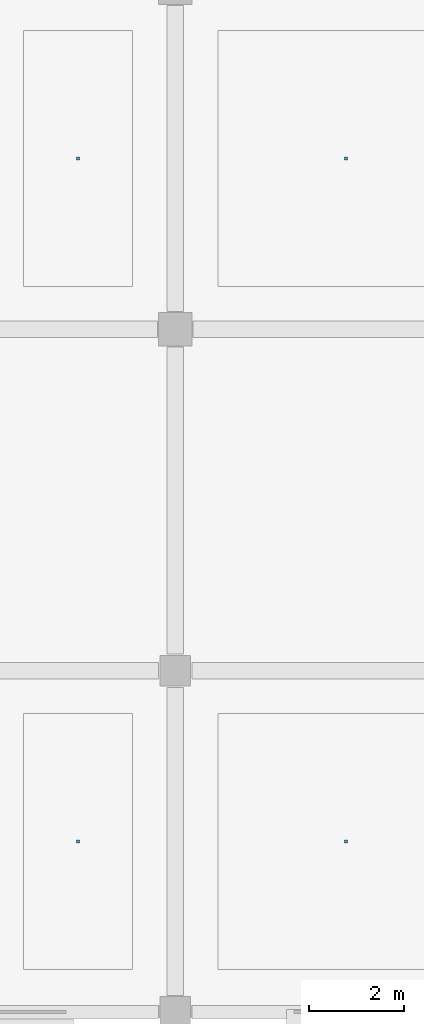
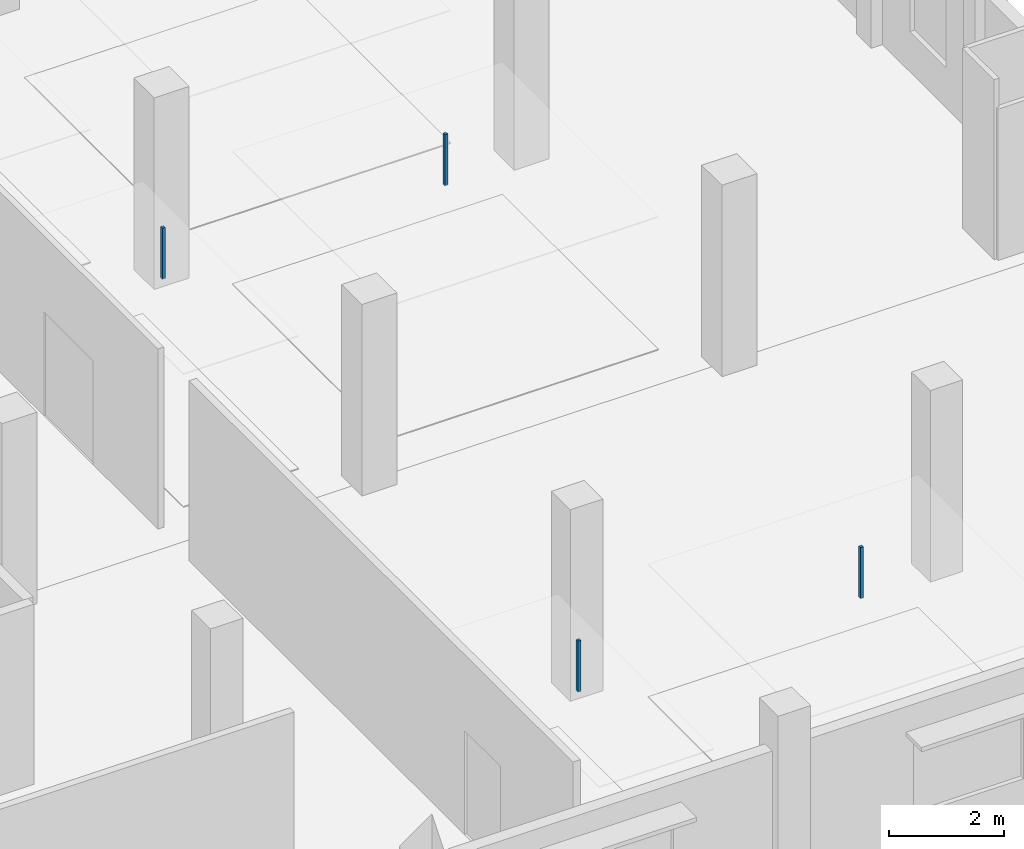
# One storey, part 81 of 91: 4 discrete accessories.
"""IFC4 building model written with IfcOpenShell, lengths in metres."""

import ifcopenshell
import ifcopenshell.guid

model = None  # the IFC model being written
_history = None  # IfcOwnerHistory: only IFC2X3 demands one
_inside = {}  # id of a spatial element -> (the spatial element, [elements in it])
_under = {}  # id of a project, library or spatial element -> (it, [spatial elements below it])
_declared = {}  # id of a project -> (the project, [libraries it declares])
_typed = {}  # id of a type object -> (the type object, [elements of that type])
_made_of = {}  # id of a material, layer set ... -> (it, [elements and type objects made of it])


def new_model(schema):
    """Start an empty IFC model of exactly this schema.

    Asked for "IFC4X3", IfcOpenShell would pick the latest addendum, in which some entities
    have other attributes; the version numbers below select the first issue.
    IFC2X3 requires an IfcOwnerHistory on every rooted entity: one is made here for all.
    """
    global model, _history
    if schema == "IFC4X3":
        model = ifcopenshell.file(schema_version=(4, 3, 0, 0))
    else:
        model = ifcopenshell.file(schema=schema)
    _inside.clear()
    _under.clear()
    _declared.clear()
    _typed.clear()
    _made_of.clear()
    _history = None
    if model.schema == "IFC2X3":
        org = make("IfcOrganization", Name="unknown")
        user = make(
            "IfcPersonAndOrganization",
            ThePerson=make("IfcPerson", FamilyName="unknown"),
            TheOrganization=org,
        )
        app = make(
            "IfcApplication",
            ApplicationDeveloper=org,
            Version="unknown",
            ApplicationFullName="unknown",
            ApplicationIdentifier="unknown",
        )
        _history = make(
            "IfcOwnerHistory",
            OwningUser=user,
            OwningApplication=app,
            ChangeAction="ADDED",
            CreationDate=0,
        )
    return model


def make(cls, **values):
    """One entity of the class cls with the attributes given. An attribute that is None is left unset."""
    return model.create_entity(
        cls, **{name: value for name, value in values.items() if value is not None}
    )


def rooted(cls, **values):
    """An entity with a GlobalId (a new one), such as an element, a storey or a relation."""
    return make(cls, GlobalId=ifcopenshell.guid.new(), OwnerHistory=_history, **values)


def si_unit(unit_type, name, prefix=None):
    """IfcSIUnit, for example si_unit("LENGTHUNIT", "METRE", prefix="MILLI")."""
    return make("IfcSIUnit", UnitType=unit_type, Prefix=prefix, Name=name)


def assignment(units):
    """IfcUnitAssignment: the units of a project."""
    return None if units is None else make("IfcUnitAssignment", Units=units)


def point(xyz):
    """IfcCartesianPoint."""
    return None if xyz is None else make("IfcCartesianPoint", Coordinates=xyz)


def direction(xyz):
    """IfcDirection."""
    return None if xyz is None else make("IfcDirection", DirectionRatios=xyz)


def frame(location, z_axis=None, x_axis=None):
    """IfcAxis2Placement3D, a coordinate frame: its origin and axes. An axis left out is left unset."""
    return make(
        "IfcAxis2Placement3D",
        Location=point(location),
        Axis=direction(z_axis),
        RefDirection=direction(x_axis),
    )


def frame_2d(location, x_axis=None):
    """IfcAxis2Placement2D, a coordinate frame in the plane: its origin and x axis."""
    return make(
        "IfcAxis2Placement2D", Location=point(location), RefDirection=direction(x_axis)
    )


def origin():
    """The frame at (0, 0, 0) with its axes left unset."""
    return frame((0.0, 0.0, 0.0))


def origin_2d():
    """The frame at (0, 0) in the plane with its x axis left unset."""
    return frame_2d((0.0, 0.0))


def place(relative_to, where):
    """IfcLocalPlacement: puts the frame where relative to a parent placement (None: the world)."""
    return make(
        "IfcLocalPlacement", PlacementRelTo=relative_to, RelativePlacement=where
    )


def context(
    kind, dimensions, precision=None, world=None, true_north=None, identifier=None
):
    """IfcGeometricRepresentationContext, for example the 3D "Model" context."""
    return make(
        "IfcGeometricRepresentationContext",
        ContextIdentifier=identifier,
        ContextType=kind,
        CoordinateSpaceDimension=dimensions,
        Precision=precision,
        WorldCoordinateSystem=world,
        TrueNorth=true_north,
    )


def subcontext(parent, identifier, kind, view, scale=None):
    """IfcGeometricRepresentationSubContext, for example "Body" below "Model"."""
    return make(
        "IfcGeometricRepresentationSubContext",
        ContextIdentifier=identifier,
        ContextType=kind,
        ParentContext=parent,
        TargetScale=scale,
        TargetView=view,
    )


def project(units=None, contexts=None):
    """IfcProject with its units and contexts."""
    return rooted(
        "IfcProject",
        Name="project",
        RepresentationContexts=contexts,
        UnitsInContext=assignment(units),
    )


def spatial(cls, under=None, at=None, **own):
    """A site, building, storey or space (cls), placed at a placement, below another one or the project."""
    s = rooted(cls, ObjectPlacement=at, **own)
    if under is not None:
        _under.setdefault(under.id(), (under, []))[1].append(s)
    return s


def profile(cls, at=None, kind="AREA", **sizes):
    """A parametric profile (cls). Its sizes go by their IFC names, for example OverallWidth=200.0."""
    return make(cls, ProfileType=kind, Position=at, **sizes)


def rectangle(**sizes):
    """IfcRectangleProfileDef."""
    return profile("IfcRectangleProfileDef", **sizes)


def extrude(swept, where, along, depth):
    """IfcExtrudedAreaSolid: the profile swept, set in the frame where, extruded along a direction by depth."""
    return make(
        "IfcExtrudedAreaSolid",
        SweptArea=swept,
        Position=where,
        ExtrudedDirection=direction(along),
        Depth=depth,
    )


def shape(context_of_items, identifier, shape_type, items):
    """IfcShapeRepresentation: the items that make up one representation, for example the "Body"."""
    return make(
        "IfcShapeRepresentation",
        ContextOfItems=context_of_items,
        RepresentationIdentifier=identifier,
        RepresentationType=shape_type,
        Items=items,
    )


def material(Name=None, Category=None):
    """IfcMaterial."""
    return make("IfcMaterial", Name=Name, Category=Category)


def made_of(thing, what):
    """Note that an element or type object is made of a material, layer set ...; save() writes the relation."""
    if what is not None:
        _made_of.setdefault(what.id(), (what, []))[1].append(thing)
    return thing


def type_object(cls, material=None, **own):
    """A type object (cls), such as IfcWallType, which elements share."""
    return made_of(rooted(cls, **own), material)


def element(
    cls,
    number,
    at=None,
    inside=None,
    cuts=None,
    type_object=None,
    material=None,
    context=None,
    identifier="Body",
    shape_type=None,
    held_by="IfcProductDefinitionShape",
    body=None,
    shapes=None,
    **own,
):
    """One element of the class cls, such as IfcWall. Its Tag is "e" and its number.

    at: its placement. inside: the storey or other place that contains it. cuts: it is an
    opening in that element (IfcRelVoidsElement). A single representation is given by context,
    identifier, shape_type and body (its items); several are given by shapes. held_by: the class
    of the entity that holds the representations. save() writes the other relations.
    """
    e = rooted(cls, Tag="e%d" % number, ObjectPlacement=at, **own)
    if body is not None:
        shapes = [shape(context, identifier, shape_type, body)]
    if shapes is not None:
        e.Representation = make(held_by, Representations=shapes)
    if inside is not None:
        _inside.setdefault(inside.id(), (inside, []))[1].append(e)
    if cuts is not None:
        rooted(
            "IfcRelVoidsElement", RelatingBuildingElement=cuts, RelatedOpeningElement=e
        )
    if type_object is not None:
        _typed.setdefault(type_object.id(), (type_object, []))[1].append(e)
    return made_of(e, material)


def aggregate(whole, parts):
    """IfcRelAggregates: a whole, such as a stair, and the parts it consists of."""
    return rooted("IfcRelAggregates", RelatingObject=whole, RelatedObjects=parts)


def save(model, path):
    """Write the relations noted so far, then the file.

    IfcRelAggregates (storeys below a building ...), IfcRelContainedInSpatialStructure (elements
    in a storey), IfcRelDefinesByType, IfcRelAssociatesMaterial and IfcRelDeclares: one each for
    every whole, place, type object, material and project.
    """
    for whole, parts in _under.values():
        aggregate(whole, parts)
    for where, things in _inside.values():
        rooted(
            "IfcRelContainedInSpatialStructure",
            RelatedElements=things,
            RelatingStructure=where,
        )
    for kind, things in _typed.values():
        rooted("IfcRelDefinesByType", RelatedObjects=things, RelatingType=kind)
    for what, things in _made_of.values():
        rooted("IfcRelAssociatesMaterial", RelatedObjects=things, RelatingMaterial=what)
    for by, libraries in _declared.values():
        rooted("IfcRelDeclares", RelatingContext=by, RelatedDefinitions=libraries)
    model.write(path)


model = new_model("IFC4")

# Units and contexts
model_context = context("Model", 3, precision=1e-05, world=origin(), true_north=direction((0.0, 1.0)))
body_context = subcontext(model_context, "Body", "Model", "MODEL_VIEW")
ifc_project = project(units=[si_unit("LENGTHUNIT", "METRE"), si_unit("AREAUNIT", "SQUARE_METRE"), si_unit("VOLUMEUNIT", "CUBIC_METRE"), si_unit("PLANEANGLEUNIT", "RADIAN"), si_unit("MASSUNIT", "GRAM", prefix="KILO")], contexts=[model_context])

# Site, building, storey
site_placement = place(None, origin())
site = spatial("IfcSite", under=ifc_project, at=site_placement, CompositionType="ELEMENT")
building_placement = place(site_placement, origin())
building = spatial("IfcBuilding", under=site, at=building_placement, Name="Kangsadwip Square Police Headquarters", CompositionType="ELEMENT")
storey_placement = place(building_placement, frame((0.0, 0.0, 13.5)))
storey = spatial("IfcBuildingStorey", under=building, at=storey_placement, Name="L03", CompositionType="ELEMENT", Elevation=13.5)

# Discrete accessories
ifc_material = material(Name="Structural steel IS 2062 E350 (Grade 350, 350 MPa)", Category="steel")
discrete_accessory_type = type_object("IfcDiscreteAccessoryType", Name="VeilOutriggerBracket", PredefinedType="BRACKET", material=ifc_material)
for number, where, z_axis, x_axis, name in (
    (1, (149.14990234375, 39.60009765625, 2.81005859375), (0.0, 0.0, 1.0), (1.0, 0.0, 0.0), "Ceiling Suspension Hanger L03-102"),
    (2, (154.800048828125, 39.60009765625, 2.81005859375), (0.0, 0.0, 1.0), (1.0, 0.0, 0.0), "Ceiling Suspension Hanger L03-103"),
    (3, (149.14990234375, 25.199951171875, 2.81005859375), (0.0, 0.0, 1.0), (1.0, 0.0, 0.0), "Ceiling Suspension Hanger L03-109"),
    (4, (154.800048828125, 25.199951171875, 2.81005859375), (0.0, 0.0, 1.0), (1.0, 0.0, 0.0), "Ceiling Suspension Hanger L03-110"),
):
    element("IfcDiscreteAccessory", number, at=place(storey_placement, frame(where, z_axis=z_axis, x_axis=x_axis)), inside=storey, type_object=discrete_accessory_type, Name=name, PredefinedType="BRACKET", context=body_context, shape_type="SweptSolid", body=[
        extrude(rectangle(XDim=0.06005859375, YDim=0.06005859375, at=origin_2d()), origin(), (0.0, 0.0, 1.0), 1.080078125),
    ])

save(model, "model.ifc")
